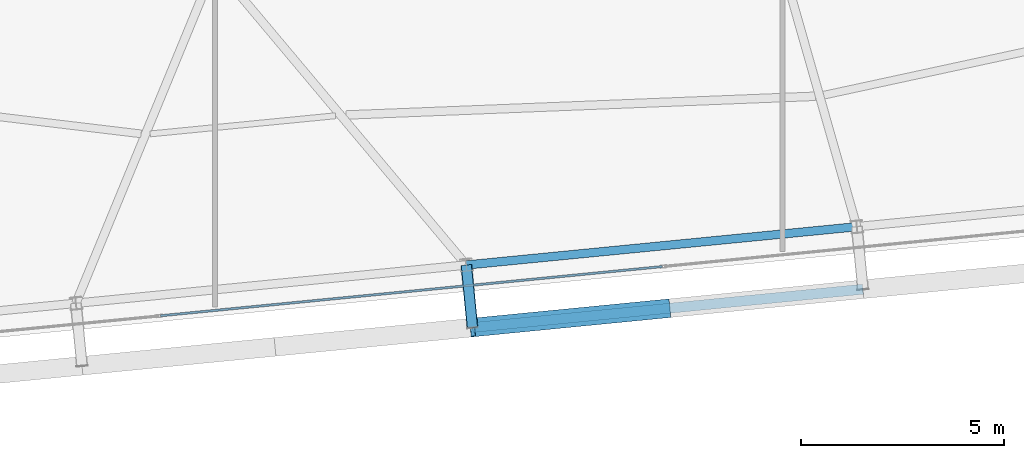
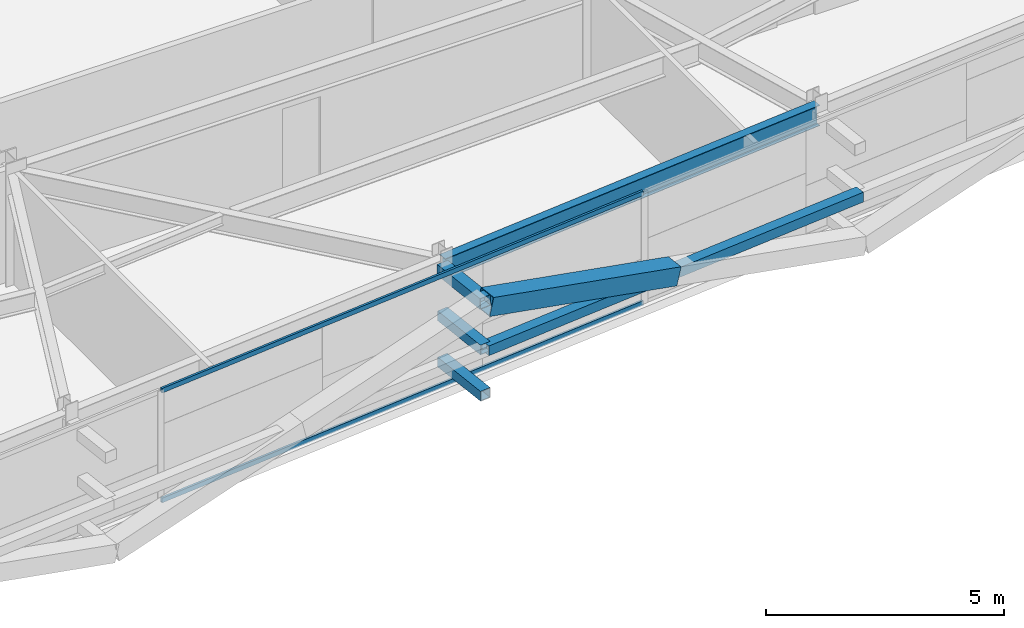
# One storey, part 10 of 47: 7 members, 1 beam, 1 element without a shape of its own.
"""IFC4 building model written with IfcOpenShell, lengths in metres."""

from ifc_helpers import new_model, si_unit, direction, frame, origin, origin_2d, place, context, subcontext, project, spatial, hollow_rectangle, i_section, extrude, source, transform, mapped, material, layer, layer_set, material_profile, profile_set, type_object, element, aggregate, save


model = new_model("IFC4")

# Units and contexts
model_context = context("Model", 3, precision=1e-05, world=origin(), true_north=direction((0.0, 1.0)))
body_context = subcontext(model_context, "Body", "Model", "MODEL_VIEW")
ifc_project = project(units=[si_unit("LENGTHUNIT", "METRE"), si_unit("AREAUNIT", "SQUARE_METRE"), si_unit("VOLUMEUNIT", "CUBIC_METRE"), si_unit("PLANEANGLEUNIT", "RADIAN"), si_unit("MASSUNIT", "GRAM", prefix="KILO")], contexts=[model_context])

# Site, building, storey
site_placement = place(None, origin())
site = spatial("IfcSite", under=ifc_project, at=site_placement, CompositionType="ELEMENT")
building_placement = place(site_placement, origin())
building = spatial("IfcBuilding", under=site, at=building_placement, Name="Taldren Reach Tower", CompositionType="ELEMENT")
storey_placement = place(building_placement, frame((0.0, 0.0, 109.199951171875)))
storey = spatial("IfcBuildingStorey", under=building, at=storey_placement, Name="L33", CompositionType="ELEMENT", Elevation=109.199951171875)

# Beam
ifc_material_1 = material(Name="Steel Gr 350 (350PLUS)", Category="steel")
ifc_material_profile_1 = material_profile(ifc_material_1, i_section(OverallWidth=0.208984375, OverallDepth=0.528076171875, WebThickness=0.009521484375, FlangeThickness=0.01318359375, at=origin_2d()), Name="530UB82.0")
ifc_profile_set_1 = profile_set([ifc_material_profile_1], Name="Steel Gr 350 (350PLUS)")
beam_type = type_object("IfcBeamType", Name="SP-UB530B", PredefinedType="SPANDREL", material=ifc_profile_set_1)
shared_shape_1 = source(origin(), body_context, "Body", "SweptSolid", [
    extrude(i_section(OverallWidth=0.208984375, OverallDepth=0.528076171875, WebThickness=0.009521484375, FlangeThickness=0.01318359375, at=origin_2d()), origin(), (0.0, 0.0, 1.0), 9.679931640625),
])
beam_placement = place(storey_placement, frame((34.20166015625, 1.809326171875, 2.60595703125), z_axis=(0.995227612658, 0.097580730699, 0.0), x_axis=(-0.097580730699, 0.995227612658, 0.0)))
element("IfcBeam", 1, at=beam_placement, inside=storey, type_object=beam_type, Name="Perimeter spandrel B2 S3-S4 L33", PredefinedType="SPANDREL", context=body_context, shape_type="MappedRepresentation", body=[
    mapped(shared_shape_1, transform((0.0, 0.0, 0.0), scale=1.0)),
])

# Members
ifc_material_2 = material(Name="Steel Gr 450 (C450L0)", Category="steel")
ifc_material_profile_2 = material_profile(ifc_material_2, hollow_rectangle(XDim=0.27490234375, YDim=0.27490234375, WallThickness=0.00927734375, at=origin_2d()), Name="275x275x9.3SHS")
ifc_profile_set_2 = profile_set([ifc_material_profile_2], Name="Steel Gr 450 (C450L0)")
member_type_1 = type_object("IfcMemberType", Name="MB-TIE273", PredefinedType="STRUT", material=ifc_profile_set_2)
shared_shape_2 = source(origin(), body_context, "Body", "SweptSolid", [
    extrude(hollow_rectangle(XDim=0.27490234375, YDim=0.27490234375, WallThickness=0.00927734375, at=origin_2d()), origin(), (0.0, 0.0, 1.0), 1.550048828125),
])
member_1_placement = place(storey_placement, frame((34.20166015625, 1.809326171875, 2.590087890625), z_axis=(0.097647892962, -0.9952210252, 0.0), x_axis=(0.9952210252, 0.097647892962, 0.0)))
element("IfcMember", 2, at=member_1_placement, inside=storey, type_object=member_type_1, Name="Exoskeleton diaphragm tie strut B2-S3 L33", PredefinedType="STRUT", context=body_context, shape_type="MappedRepresentation", body=[
    mapped(shared_shape_2, transform((0.0, 0.0, 0.0), scale=1.0)),
])
ifc_material_3 = material(Name="Steel Gr 350 (C350L0)", Category="steel")
ifc_material_profile_3 = material_profile(ifc_material_3, hollow_rectangle(XDim=0.25, YDim=0.25, WallThickness=0.010009765625, at=origin_2d()), Name="250x250x10.0SHS")
ifc_profile_set_3 = profile_set([ifc_material_profile_3], Name="Steel Gr 350 (C350L0)")
member_type_2 = type_object("IfcMemberType", Name="MB-POST250", PredefinedType="POST", material=ifc_profile_set_3)
shared_shape_3 = source(origin(), body_context, "Body", "SweptSolid", [
    extrude(hollow_rectangle(XDim=0.25, YDim=0.25, WallThickness=0.010009765625, at=origin_2d()), origin(), (0.0, 0.0, 1.0), 9.679931640625),
])
member_2_placement = place(storey_placement, frame((34.35302734375, 0.2666015625, 1.405029296875), z_axis=(0.995225162995, 0.097605711627, 0.0), x_axis=(-0.097605711627, 0.995225162995, 0.0)))
element("IfcMember", 3, at=member_2_placement, inside=storey, type_object=member_type_2, Name="Exoskeleton mid-height ring chord B2-S3 L33", PredefinedType="POST", context=body_context, shape_type="MappedRepresentation", body=[
    mapped(shared_shape_3, transform((0.0, 0.0, 0.0), scale=1.0)),
])
shared_shape_4 = source(origin(), body_context, "Body", "SweptSolid", [
    extrude(hollow_rectangle(XDim=0.25, YDim=0.25, WallThickness=0.010009765625, at=origin_2d()), origin(), (0.0, 0.0, 1.0), 1.550048828125),
])
for number, where, z_axis, x_axis, name in (
    (4, (34.20166015625, 1.809326171875, 0.219970703125), (0.097647892962, -0.9952210252, 0.0), (0.9952210252, 0.097647892962, 0.0), "Exoskeleton base diaphragm tie strut B2-S3 L33"),
    (5, (34.20166015625, 1.809326171875, 1.405029296875), (0.097647892962, -0.9952210252, 0.0), (0.9952210252, 0.097647892962, 0.0), "Exoskeleton mid-tier diaphragm tie B2-S3 L33"),
):
    element("IfcMember", number, at=place(storey_placement, frame(where, z_axis=z_axis, x_axis=x_axis)), inside=storey, type_object=member_type_2, Name=name, PredefinedType="POST", context=body_context, shape_type="MappedRepresentation", body=[
        mapped(shared_shape_4, transform((0.0, 0.0, 0.0), scale=1.0)),
    ])
ifc_material_profile_4 = material_profile(ifc_material_2, hollow_rectangle(XDim=0.4599609375, YDim=0.4599609375, WallThickness=0.01611328125, at=origin_2d()), Name="460x460x16.0SHS")
ifc_profile_set_4 = profile_set([ifc_material_profile_4], Name="Steel Gr 450 (C450L0)")
member_type_3 = type_object("IfcMemberType", Name="MB-EXO457", PredefinedType="BRACE", material=ifc_profile_set_4)
shared_shape_5 = source(origin(), body_context, "Body", "SweptSolid", [
    extrude(hollow_rectangle(XDim=0.4599609375, YDim=0.4599609375, WallThickness=0.01611328125, at=origin_2d()), origin(), (0.0, 0.0, 1.0), 4.98291015625),
])
member_3_placement = place(storey_placement, frame((39.169921875, 0.739013671875, 1.405029296875), z_axis=(-0.966671000152, -0.094805290689, 0.23782164393), x_axis=(0.097605711627, -0.995225162995, 0.0)))
element("IfcMember", 6, at=member_3_placement, inside=storey, type_object=member_type_3, Name="Exoskeleton Diagrid Brace B2-S3 L33", PredefinedType="BRACE", context=body_context, shape_type="MappedRepresentation", body=[
    mapped(shared_shape_5, transform((0.0, 0.0, 0.0), scale=1.0)),
])

# Curtain wall, members
ifc_material_4 = material(Name="Aluminium and Low-E Glass Unitised System", Category="aluminium")
ifc_layer = layer(ifc_material_4, 0.159912109375)
ifc_layer_set = layer_set([ifc_layer], Name="Aluminium and Low-E Glass Unitised System")
curtain_wall_type = type_object("IfcCurtainWallType", Name="CW-SYS-3", PredefinedType="NOTDEFINED", material=ifc_layer_set)
curtain_wall_placement = place(storey_placement, origin())
curtain_wall = element("IfcCurtainWall", 7, at=curtain_wall_placement, inside=storey, type_object=curtain_wall_type, Name="Unitised curtain wall CW-L33-S", PredefinedType="NOTDEFINED")
ifc_material_5 = material(Name="Anodised Aluminium 6063-T6", Category="aluminium")
ifc_material_profile_5 = material_profile(ifc_material_5, hollow_rectangle(XDim=0.054931640625, YDim=0.1201171875, WallThickness=0.0029296875, at=origin_2d()), Name="ALU-120x55x3RHS")
ifc_profile_set_5 = profile_set([ifc_material_profile_5], Name="Anodised Aluminium 6063-T6")
member_type_4 = type_object("IfcMemberType", Name="CW-TRN-135", PredefinedType="USERDEFINED", material=ifc_profile_set_5)
shared_shape_6 = source(origin(), body_context, "Body", "SweptSolid", [
    extrude(hollow_rectangle(XDim=0.054931640625, YDim=0.1201171875, WallThickness=0.0029296875, at=origin_2d()), origin(), (0.0, 0.0, 1.0), 12.43505859375),
])
member_4_placement = place(storey_placement, frame((26.660400390625, 0.557373046875, 0.027587890625), z_axis=(0.995227964368, 0.097577143535, 0.0), x_axis=(-0.097577143535, 0.995227964368, 0.0)))
member_4 = element("IfcMember", 8, at=member_4_placement, type_object=member_type_4, Name="CW-3 transom 2.1", ObjectType="TRANSOM", PredefinedType="USERDEFINED", context=body_context, shape_type="MappedRepresentation", body=[
    mapped(shared_shape_6, transform((0.0, 0.0, 0.0), scale=1.0)),
])
member_5_placement = place(storey_placement, frame((26.660400390625, 0.557373046875, 2.842529296875), z_axis=(0.995227964368, 0.097577143535, 0.0), x_axis=(-0.097577143535, 0.995227964368, 0.0)))
member_5 = element("IfcMember", 9, at=member_5_placement, type_object=member_type_4, Name="CW-3 transom 2.2", ObjectType="TRANSOM", PredefinedType="USERDEFINED", context=body_context, shape_type="MappedRepresentation", body=[
    mapped(shared_shape_6, transform((0.0, 0.0, 0.0), scale=1.0)),
])
aggregate(curtain_wall, [member_4, member_5])

save(model, "model.ifc")
